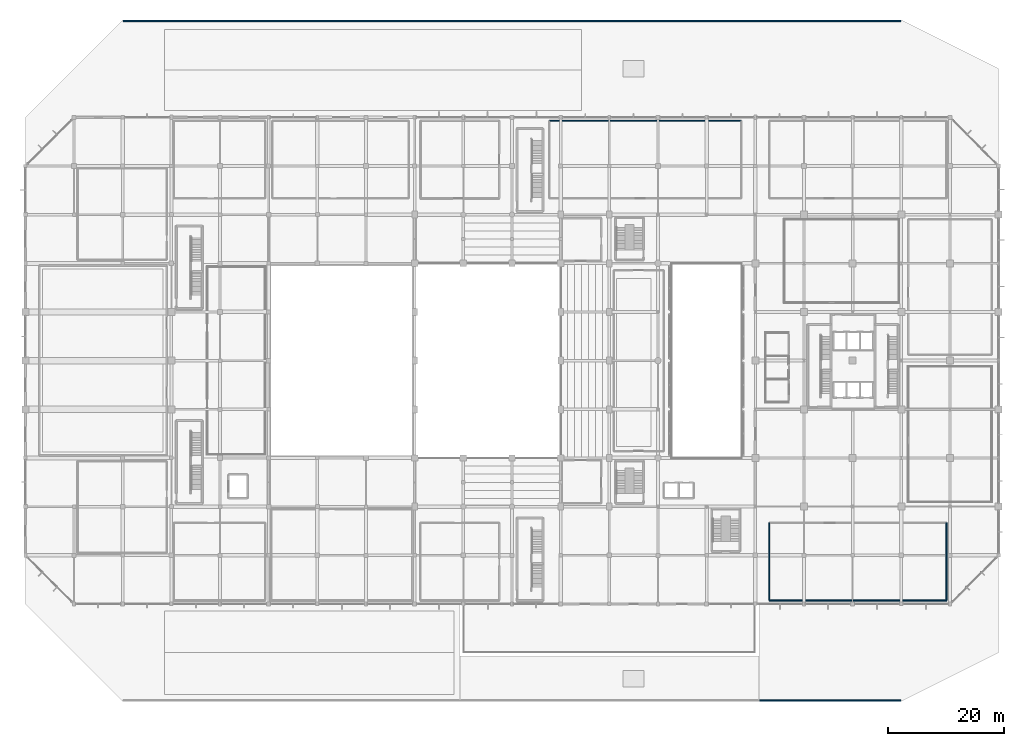
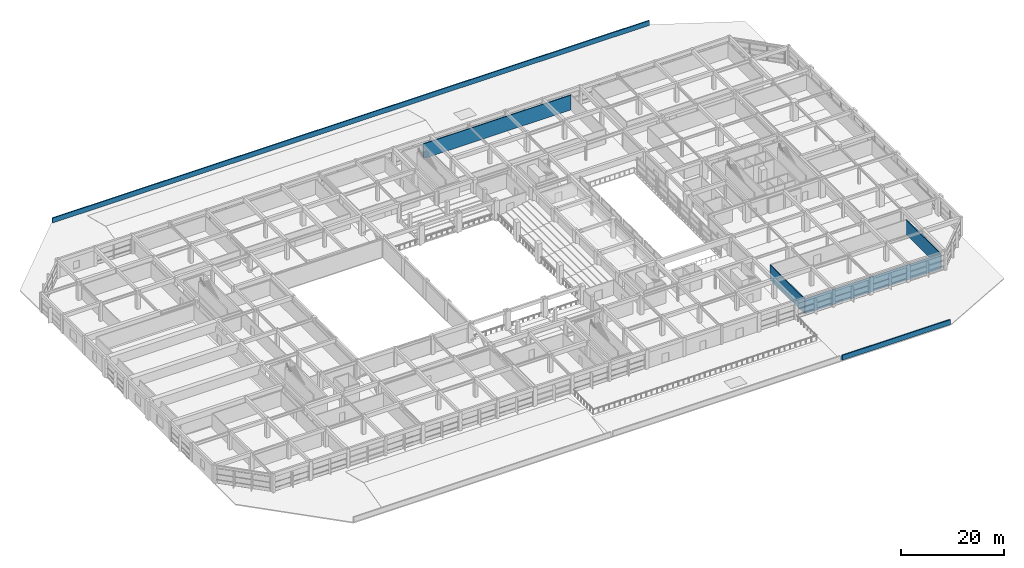
# One storey, part 48 of 60: 6 walls.
"""IFC4 building model written with IfcOpenShell, lengths in metres."""

from ifc_helpers import new_model, si_unit, direction, frame, frame_2d, origin, place, context, subcontext, project, spatial, rectangle, extrude, material, layer, layer_set, type_object, element, save


model = new_model("IFC4")

# Units and contexts
model_context = context("Model", 3, precision=1e-05, world=origin(), true_north=direction((0.0, 1.0)))
body_context = subcontext(model_context, "Body", "Model", "MODEL_VIEW")
ifc_project = project(units=[si_unit("LENGTHUNIT", "METRE"), si_unit("AREAUNIT", "SQUARE_METRE"), si_unit("VOLUMEUNIT", "CUBIC_METRE"), si_unit("PLANEANGLEUNIT", "RADIAN"), si_unit("MASSUNIT", "GRAM", prefix="KILO")], contexts=[model_context])

# Site, building, storey
site_placement = place(None, origin())
site = spatial("IfcSite", under=ifc_project, at=site_placement, CompositionType="ELEMENT")
building_placement = place(site_placement, origin())
building = spatial("IfcBuilding", under=site, at=building_placement, Name="Xuanlan Plaza Opera House", CompositionType="ELEMENT")
storey_placement = place(building_placement, frame((0.0, 0.0, 9.89990234375)))
storey = spatial("IfcBuildingStorey", under=building, at=storey_placement, Name="L02", CompositionType="ELEMENT", Elevation=9.89990234375)

# Walls
ifc_material_1 = material(Name="Concrete C40", Category="concrete")
ifc_layer_1 = layer(ifc_material_1, 0.25)
ifc_layer_set_1 = layer_set([ifc_layer_1], Name="Concrete C40")
wall_type_1 = type_object("IfcWallType", Name="ENV-WL-PRP-01", PredefinedType="PARAPET", material=ifc_layer_set_1)
wall_1_placement = place(storey_placement, frame((126.800048828125, 0.14990234375, 0.0), z_axis=(0.0, 0.0, 1.0), x_axis=(1.0, 0.0, 0.0)))
element("IfcWall", 1, at=wall_1_placement, inside=storey, type_object=wall_type_1, Name="Plaza Arcade Roof Parapet Wall 03", PredefinedType="PARAPET", context=body_context, shape_type="SweptSolid", body=[
    extrude(rectangle(XDim=24.300048828125, YDim=0.25, at=frame_2d((12.14990234375, 0.0))), origin(), (0.0, 0.0, 1.0), 1.150146484375),
])
wall_2_placement = place(storey_placement, frame((16.89990234375, 117.449951171875, 0.0), z_axis=(0.0, 0.0, 1.0), x_axis=(1.0, 0.0, 0.0)))
element("IfcWall", 2, at=wall_2_placement, inside=storey, type_object=wall_type_1, Name="Plaza Arcade Roof Parapet Wall 04", PredefinedType="PARAPET", context=body_context, shape_type="SweptSolid", body=[
    extrude(rectangle(XDim=134.2001953125, YDim=0.25, at=frame_2d((67.10009765625, 0.0))), origin(), (0.0, 0.0, 1.0), 1.150146484375),
])
ifc_material_2 = material(Name="Gypsum Board and Galvanised Steel Studs", Category="gypsum")
ifc_layer_2 = layer(ifc_material_2, 0.179931640625)
ifc_layer_set_2 = layer_set([ifc_layer_2], Name="Gypsum Board and Galvanised Steel Studs")
wall_type_2 = type_object("IfcWallType", Name="INT-WL-PW-02", PredefinedType="PARTITIONING", material=ifc_layer_set_2)
wall_3_placement = place(storey_placement, frame((90.39990234375, 100.199951171875, 0.0), z_axis=(0.0, 0.0, 1.0), x_axis=(1.0, 0.0, 0.0)))
element("IfcWall", 3, at=wall_3_placement, inside=storey, type_object=wall_type_2, Name="Stage Properties Archive Store Wall North", PredefinedType="PARTITIONING", context=body_context, shape_type="SweptSolid", body=[
    extrude(rectangle(XDim=33.2001953125, YDim=0.179931640625, at=frame_2d((16.60009765625, 0.0))), origin(), (0.0, 0.0, 1.0), 3.5400390625),
])
wall_4_placement = place(storey_placement, frame((128.39990234375, 17.39990234375, 0.0), z_axis=(0.0, 0.0, 1.0), x_axis=(1.0, 0.0, 0.0)))
element("IfcWall", 4, at=wall_4_placement, inside=storey, type_object=wall_type_2, Name="Cultural Exchange Archive Wall South", PredefinedType="PARTITIONING", context=body_context, shape_type="SweptSolid", body=[
    extrude(rectangle(XDim=30.60009765625, YDim=0.179931640625, at=frame_2d((15.300048828125, 0.0))), origin(), (0.0, 0.0, 1.0), 3.5400390625),
])
for number, where, z_axis, x_axis, name in (
    (5, (128.39990234375, 17.39990234375, 0.0), (0.0, 0.0, 1.0), (0.0, 1.0, 0.0), "Cultural Exchange Archive Wall West"),
    (6, (159.0, 17.39990234375, 0.0), (0.0, 0.0, 1.0), (0.0, 1.0, 0.0), "Cultural Exchange Archive Wall East"),
):
    element("IfcWall", number, at=place(storey_placement, frame(where, z_axis=z_axis, x_axis=x_axis)), inside=storey, type_object=wall_type_2, Name=name, PredefinedType="PARTITIONING", context=body_context, shape_type="SweptSolid", body=[
        extrude(rectangle(XDim=13.400146484375, YDim=0.179931640625, at=frame_2d((6.7001953125, 0.0))), origin(), (0.0, 0.0, 1.0), 3.5400390625),
    ])

save(model, "model.ifc")
